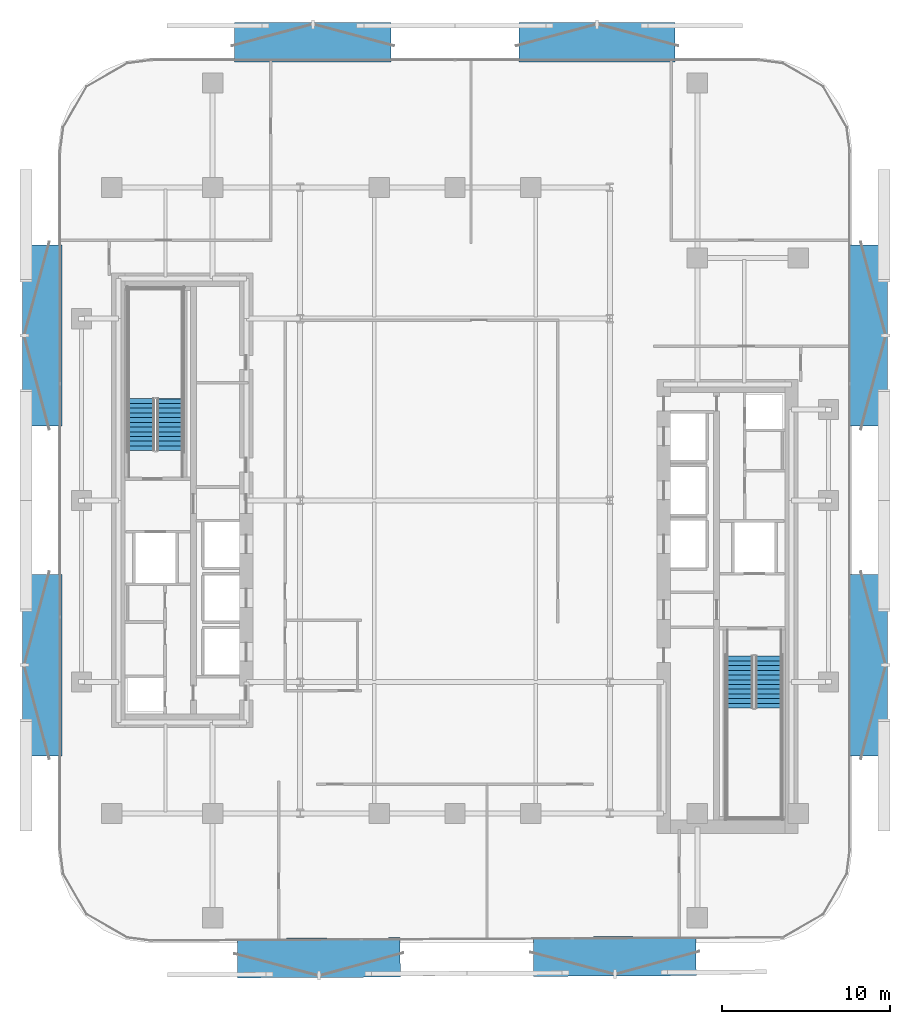
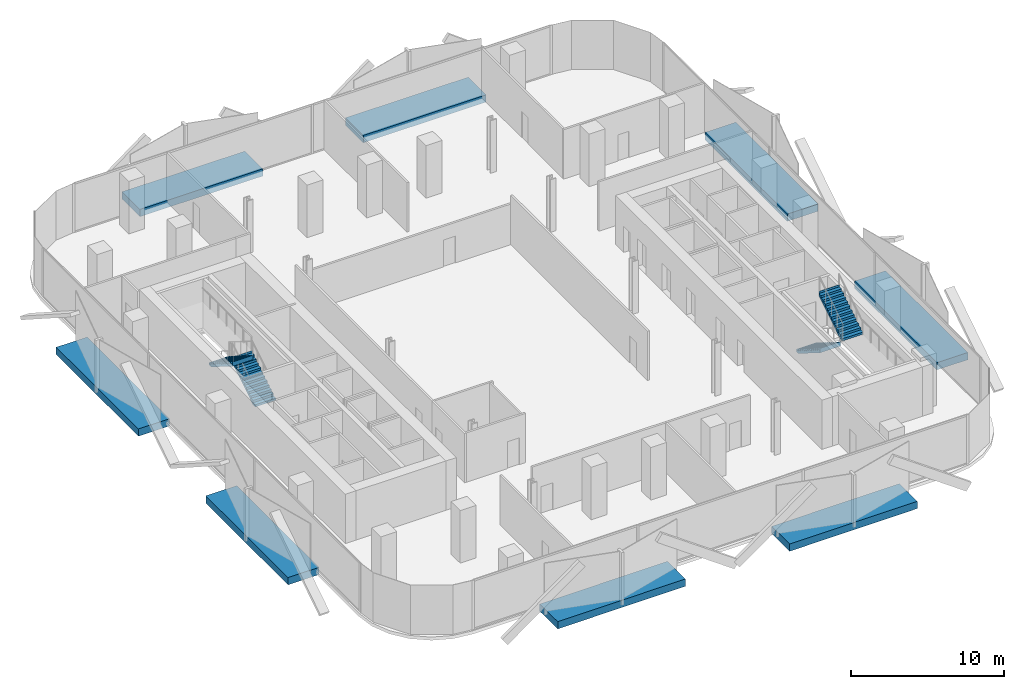
# One storey, part 6 of 15: 8 discrete accessories, 4 stair flights, 2 elements without a shape of their own.
"""IFC4 building model written with IfcOpenShell, lengths in metres."""

from ifc_helpers import new_model, si_unit, direction, frame, origin, origin_2d, place, context, subcontext, project, spatial, polyline, rectangle, outline, extrude, material, layer, layer_set, type_object, element, aggregate, save


model = new_model("IFC4")

# Units and contexts
model_context = context("Model", 3, precision=1e-05, world=origin(), true_north=direction((0.0, 1.0)))
body_context = subcontext(model_context, "Body", "Model", "MODEL_VIEW")
ifc_project = project(units=[si_unit("LENGTHUNIT", "METRE"), si_unit("AREAUNIT", "SQUARE_METRE"), si_unit("VOLUMEUNIT", "CUBIC_METRE"), si_unit("PLANEANGLEUNIT", "RADIAN"), si_unit("MASSUNIT", "GRAM", prefix="KILO")], contexts=[model_context])

# Site, building, storey
site_placement = place(None, origin())
site = spatial("IfcSite", under=ifc_project, at=site_placement, CompositionType="ELEMENT")
building_placement = place(site_placement, origin())
building = spatial("IfcBuilding", under=site, at=building_placement, Name="Khairoan Windgate Tower", CompositionType="ELEMENT")
storey_placement = place(building_placement, frame((0.0, 0.0, 143.60009765625)))
storey = spatial("IfcBuildingStorey", under=building, at=storey_placement, Name="L33", CompositionType="ELEMENT", Elevation=143.60009765625)

# Stair, stair flights
ifc_material_1 = material(Name="Concrete C40/50", Category="concrete")
stair_type = type_object("IfcStairType", Name="Tower Core Dog-Leg Stair ST-T1 1560mm", PredefinedType="HALF_TURN_STAIR", material=ifc_material_1)
stair_1_placement = place(storey_placement, origin())
stair_1 = element("IfcStair", 1, at=stair_1_placement, inside=storey, type_object=stair_type, Name="L33 Stair ST1", PredefinedType="HALF_TURN_STAIR")
ifc_material_2 = material(Name="Concrete C40/50", Category="concrete")
ifc_layer = layer(ifc_material_2, 0.14990234375, Name="Concrete C40/50")
ifc_layer_set = layer_set([ifc_layer], Name="Concrete C40/50")
stair_flight_type = type_object("IfcStairFlightType", Name="Tower Core Stair Flight STF-1560", PredefinedType="STRAIGHT", material=ifc_layer_set)
stair_flight_1_placement = place(storey_placement, frame((16.929931640625, -9.260009765625, 0.0), z_axis=(0.0, 0.0, 1.0), x_axis=(0.0, -1.0, 0.0)))
stair_flight_1 = element("IfcStairFlight", 2, at=stair_flight_1_placement, type_object=stair_flight_type, Name="ST1 flight 1", NumberOfRisers=12, NumberOfTreads=11, PredefinedType="STRAIGHT", RiserHeight=0.175, TreadLength=0.28, context=body_context, shape_type="SweptSolid", body=[
    extrude(outline(polyline([(-0.00390625, 0.0), (-0.00390625, 0.175048828125), (0.0, 0.175048828125), (0.280029296875, 0.175048828125), (0.280029296875, 0.35009765625), (0.56005859375, 0.35009765625), (0.56005859375, 0.52490234375), (0.840087890625, 0.52490234375), (0.840087890625, 0.699951171875), (1.1201171875, 0.699951171875), (1.1201171875, 0.875), (1.39990234375, 0.875), (1.39990234375, 1.050048828125), (1.679931640625, 1.050048828125), (1.679931640625, 1.22509765625), (1.9599609375, 1.22509765625), (1.9599609375, 1.39990234375), (2.239990234375, 1.39990234375), (2.239990234375, 1.574951171875), (2.52001953125, 1.574951171875), (2.52001953125, 1.75), (2.800048828125, 1.75), (2.800048828125, 1.925048828125), (3.080078125, 1.925048828125), (3.080078125, 2.10009765625), (3.083984375, 2.10009765625), (3.083984375, 1.748291015625), (0.28271484375, 0.0), (-0.00390625, 0.0)])), frame((0.0, 0.780029296875, 0.0), z_axis=(0.0, -1.0, 0.0), x_axis=(1.0, 0.0, 0.0)), (0.0, 0.0, 1.0), 1.56005859375),
])
stair_flight_2_placement = place(storey_placement, frame((18.639892578125, -12.340087890625, 2.099853515625), z_axis=(0.0, 0.0, 1.0), x_axis=(0.0, 1.0, 0.0)))
stair_flight_2 = element("IfcStairFlight", 3, at=stair_flight_2_placement, type_object=stair_flight_type, Name="ST1 flight 2", NumberOfRisers=12, NumberOfTreads=11, PredefinedType="STRAIGHT", RiserHeight=0.175, TreadLength=0.28, context=body_context, shape_type="SweptSolid", body=[
    extrude(outline(polyline([(-0.00390625, 0.0), (-0.00390625, 0.175048828125), (0.0, 0.175048828125), (0.280029296875, 0.175048828125), (0.280029296875, 0.35009765625), (0.56005859375, 0.35009765625), (0.56005859375, 0.52490234375), (0.840087890625, 0.52490234375), (0.840087890625, 0.699951171875), (1.1201171875, 0.699951171875), (1.1201171875, 0.875), (1.39990234375, 0.875), (1.39990234375, 1.050048828125), (1.679931640625, 1.050048828125), (1.679931640625, 1.22509765625), (1.9599609375, 1.22509765625), (1.9599609375, 1.39990234375), (2.239990234375, 1.39990234375), (2.239990234375, 1.574951171875), (2.52001953125, 1.574951171875), (2.52001953125, 1.75), (2.800048828125, 1.75), (2.800048828125, 1.925048828125), (3.080078125, 1.925048828125), (3.080078125, 2.10009765625), (3.083984375, 2.10009765625), (3.083984375, 1.748291015625), (0.28271484375, 0.0), (-0.00390625, 0.0)])), frame((0.0, 0.780029296875, 0.0), z_axis=(0.0, -1.0, 0.0), x_axis=(1.0, 0.0, 0.0)), (0.0, 0.0, 1.0), 1.56005859375),
])
aggregate(stair_1, [stair_flight_1, stair_flight_2])

stair_2_placement = place(storey_placement, origin())
stair_2 = element("IfcStair", 4, at=stair_2_placement, inside=storey, type_object=stair_type, Name="L33 Stair ST2", PredefinedType="HALF_TURN_STAIR")
stair_flight_3_placement = place(storey_placement, frame((-16.929931640625, 2.9599609375, 0.0), z_axis=(0.0, 0.0, 1.0), x_axis=(0.0, 1.0, 0.0)))
stair_flight_3 = element("IfcStairFlight", 5, at=stair_flight_3_placement, type_object=stair_flight_type, Name="ST2 flight 1", NumberOfRisers=12, NumberOfTreads=11, PredefinedType="STRAIGHT", RiserHeight=0.175, TreadLength=0.28, context=body_context, shape_type="SweptSolid", body=[
    extrude(outline(polyline([(-0.00390625, 0.0), (-0.00390625, 0.175048828125), (0.0, 0.175048828125), (0.280029296875, 0.175048828125), (0.280029296875, 0.35009765625), (0.56005859375, 0.35009765625), (0.56005859375, 0.52490234375), (0.840087890625, 0.52490234375), (0.840087890625, 0.699951171875), (1.1201171875, 0.699951171875), (1.1201171875, 0.875), (1.39990234375, 0.875), (1.39990234375, 1.050048828125), (1.679931640625, 1.050048828125), (1.679931640625, 1.22509765625), (1.9599609375, 1.22509765625), (1.9599609375, 1.39990234375), (2.239990234375, 1.39990234375), (2.239990234375, 1.574951171875), (2.52001953125, 1.574951171875), (2.52001953125, 1.75), (2.800048828125, 1.75), (2.800048828125, 1.925048828125), (3.080078125, 1.925048828125), (3.080078125, 2.10009765625), (3.083984375, 2.10009765625), (3.083984375, 1.748291015625), (0.28271484375, 0.0), (-0.00390625, 0.0)])), frame((0.0, 0.780029296875, 0.0), z_axis=(0.0, -1.0, 0.0), x_axis=(1.0, 0.0, 0.0)), (0.0, 0.0, 1.0), 1.56005859375),
])
stair_flight_4_placement = place(storey_placement, frame((-18.639892578125, 6.0400390625, 2.099853515625), z_axis=(0.0, 0.0, 1.0), x_axis=(0.0, -1.0, 0.0)))
stair_flight_4 = element("IfcStairFlight", 6, at=stair_flight_4_placement, type_object=stair_flight_type, Name="ST2 flight 2", NumberOfRisers=12, NumberOfTreads=11, PredefinedType="STRAIGHT", RiserHeight=0.175, TreadLength=0.28, context=body_context, shape_type="SweptSolid", body=[
    extrude(outline(polyline([(-0.00390625, 0.0), (-0.00390625, 0.175048828125), (0.0, 0.175048828125), (0.280029296875, 0.175048828125), (0.280029296875, 0.35009765625), (0.56005859375, 0.35009765625), (0.56005859375, 0.52490234375), (0.840087890625, 0.52490234375), (0.840087890625, 0.699951171875), (1.1201171875, 0.699951171875), (1.1201171875, 0.875), (1.39990234375, 0.875), (1.39990234375, 1.050048828125), (1.679931640625, 1.050048828125), (1.679931640625, 1.22509765625), (1.9599609375, 1.22509765625), (1.9599609375, 1.39990234375), (2.239990234375, 1.39990234375), (2.239990234375, 1.574951171875), (2.52001953125, 1.574951171875), (2.52001953125, 1.75), (2.800048828125, 1.75), (2.800048828125, 1.925048828125), (3.080078125, 1.925048828125), (3.080078125, 2.10009765625), (3.083984375, 2.10009765625), (3.083984375, 1.748291015625), (0.28271484375, 0.0), (-0.00390625, 0.0)])), frame((0.0, 0.780029296875, 0.0), z_axis=(0.0, -1.0, 0.0), x_axis=(1.0, 0.0, 0.0)), (0.0, 0.0, 1.0), 1.56005859375),
])
aggregate(stair_2, [stair_flight_3, stair_flight_4])

# Discrete accessories
ifc_material_3 = material(Name="Steel S355", Category="steel")
discrete_accessory_type = type_object("IfcDiscreteAccessoryType", Name="Solar Screen Outrigger Slab Bracket SSB-1", PredefinedType="BRACKET", material=ifc_material_3)
for number, where, z_axis, x_axis, name in (
    (7, (9.497802734375, -27.09521484375, -0.420166015625), (0.0, 0.0, 1.0), (-0.999988059021, -0.004886902454, 0.0), "L33 Solar Screen Outrigger Bracket 209"),
    (8, (-8.091064453125, -27.18115234375, -0.420166015625), (0.0, 0.0, 1.0), (-0.999988059021, -0.004886902454, 0.0), "L33 Solar Screen Outrigger Bracket 210"),
):
    element("IfcDiscreteAccessory", number, at=place(storey_placement, frame(where, z_axis=z_axis, x_axis=x_axis)), inside=storey, type_object=discrete_accessory_type, Name=name, PredefinedType="BRACKET", context=body_context, shape_type="SweptSolid", body=[
        extrude(rectangle(XDim=9.674072265625, YDim=2.340087890625, at=origin_2d()), origin(), (0.0, 0.0, 1.0), 0.580078125),
    ])
for number, where, z_axis, x_axis, name in (
    (9, (-24.530029296875, -9.79541015625, -0.420166015625), (0.0, 0.0, 1.0), (0.0, 1.0, 0.0), "L33 Solar Screen Outrigger Bracket 211"),
    (10, (-24.530029296875, 9.79541015625, -0.420166015625), (0.0, 0.0, 1.0), (0.0, 1.0, 0.0), "L33 Solar Screen Outrigger Bracket 212"),
):
    element("IfcDiscreteAccessory", number, at=place(storey_placement, frame(where, z_axis=z_axis, x_axis=x_axis)), inside=storey, type_object=discrete_accessory_type, Name=name, PredefinedType="BRACKET", context=body_context, shape_type="SweptSolid", body=[
        extrude(rectangle(XDim=10.77490234375, YDim=2.340087890625, at=origin_2d()), origin(), (0.0, 0.0, 1.0), 0.580078125),
    ])
for number, where, z_axis, x_axis, name in (
    (11, (-8.4453125, 27.22998046875, -0.420166015625), (0.0, 0.0, 1.0), (1.0, 0.0, 0.0), "L33 Solar Screen Outrigger Bracket 213"),
    (12, (8.4453125, 27.22998046875, -0.420166015625), (0.0, 0.0, 1.0), (1.0, 0.0, 0.0), "L33 Solar Screen Outrigger Bracket 214"),
):
    element("IfcDiscreteAccessory", number, at=place(storey_placement, frame(where, z_axis=z_axis, x_axis=x_axis)), inside=storey, type_object=discrete_accessory_type, Name=name, PredefinedType="BRACKET", context=body_context, shape_type="SweptSolid", body=[
        extrude(rectangle(XDim=9.2900390625, YDim=2.340087890625, at=origin_2d()), origin(), (0.0, 0.0, 1.0), 0.580078125),
    ])
for number, where, z_axis, x_axis, name in (
    (13, (24.530029296875, 9.79541015625, -0.420166015625), (0.0, 0.0, 1.0), (0.0, -1.0, 0.0), "L33 Solar Screen Outrigger Bracket 215"),
    (14, (24.530029296875, -9.79541015625, -0.420166015625), (0.0, 0.0, 1.0), (0.0, -1.0, 0.0), "L33 Solar Screen Outrigger Bracket 216"),
):
    element("IfcDiscreteAccessory", number, at=place(storey_placement, frame(where, z_axis=z_axis, x_axis=x_axis)), inside=storey, type_object=discrete_accessory_type, Name=name, PredefinedType="BRACKET", context=body_context, shape_type="SweptSolid", body=[
        extrude(rectangle(XDim=10.77490234375, YDim=2.340087890625, at=origin_2d()), origin(), (0.0, 0.0, 1.0), 0.580078125),
    ])

save(model, "model.ifc")
